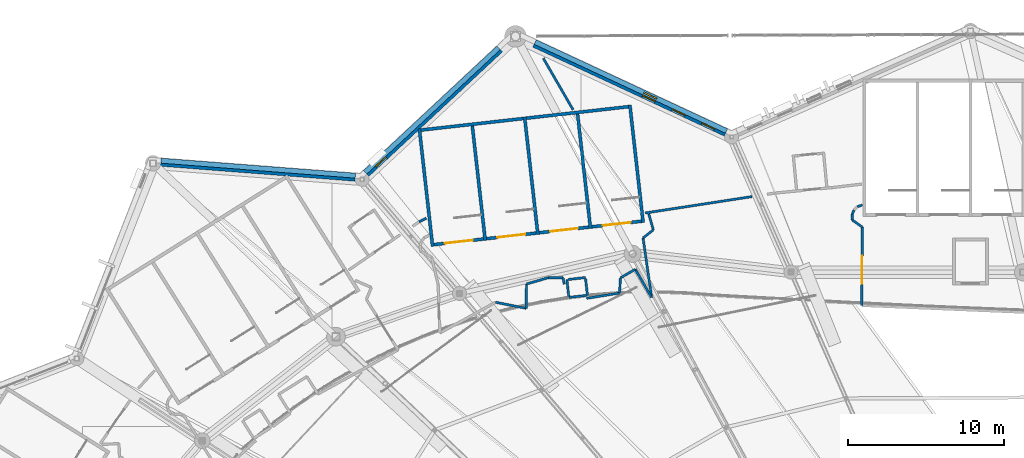
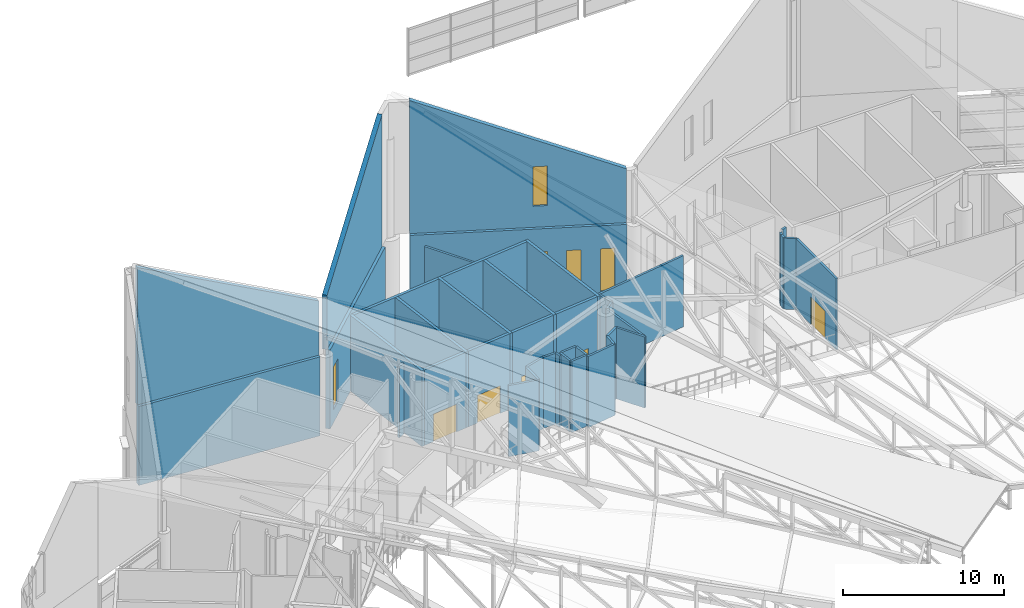
# One storey, part 265 of 344: 41 walls, 5 doors, 5 windows, 10 openings.
"""IFC4 building model written with IfcOpenShell, lengths in metres."""

from ifc_helpers import new_model, si_unit, direction, frame, frame_2d, origin, place, context, subcontext, project, spatial, polyline, rectangle, outline, extrude, material, layer, layer_set, type_object, element, fill, save


model = new_model("IFC4")

# Units and contexts
model_context = context("Model", 3, precision=1e-05, world=origin(), true_north=direction((0.0, 1.0)))
body_context = subcontext(model_context, "Body", "Model", "MODEL_VIEW")
ifc_project = project(units=[si_unit("LENGTHUNIT", "METRE"), si_unit("AREAUNIT", "SQUARE_METRE"), si_unit("VOLUMEUNIT", "CUBIC_METRE"), si_unit("PLANEANGLEUNIT", "RADIAN"), si_unit("MASSUNIT", "GRAM", prefix="KILO")], contexts=[model_context])

# Site, building, storey
site_placement = place(None, origin())
site = spatial("IfcSite", under=ifc_project, at=site_placement, CompositionType="ELEMENT")
building_placement = place(site_placement, origin())
building = spatial("IfcBuilding", under=site, at=building_placement, Name="Meseta Stadium", CompositionType="ELEMENT")
storey_placement = place(building_placement, frame((0.0, 0.0, 24.0)))
storey = spatial("IfcBuildingStorey", under=building, at=storey_placement, Name="L04", CompositionType="ELEMENT", Elevation=24.0)

# Walls
ifc_material_1 = material(Name="Concrete C40/50", Category="concrete")
ifc_layer_1 = layer(ifc_material_1, 0.199951171875)
ifc_layer_set_1 = layer_set([ifc_layer_1], Name="Core divider wall 200")
wall_type_1 = type_object("IfcWallType", Name="Core divider wall 200", PredefinedType="SHEAR", material=ifc_layer_set_1)
wall_1_placement = place(storey_placement, frame((-48.241943359375, 100.264892578125, 0.0), z_axis=(0.0, 0.0, 1.0), x_axis=(0.111954577255, -0.993713325176, 0.0)))
element("IfcWall", 1, at=wall_1_placement, inside=storey, type_object=wall_type_1, Name="Core 12 L04 stair A divider wall", PredefinedType="SHEAR", context=body_context, shape_type="SweptSolid", body=[
    extrude(rectangle(XDim=7.599853515625, YDim=0.199951171875, at=frame_2d((3.7998046875, 0.0))), origin(), (0.0, 0.0, 1.0), 5.75),
])
wall_2_placement = place(storey_placement, frame((-54.999267578125, 99.503662109375, 0.0), z_axis=(0.0, 0.0, 1.0), x_axis=(0.111982724367, -0.993710153638, 0.0)))
element("IfcWall", 2, at=wall_2_placement, inside=storey, type_object=wall_type_1, Name="Core 12 L04 stair B divider wall", PredefinedType="SHEAR", context=body_context, shape_type="SweptSolid", body=[
    extrude(rectangle(XDim=7.60009765625, YDim=0.199951171875, at=frame_2d((3.800048828125, 0.0))), origin(), (0.0, 0.0, 1.0), 5.75),
])
ifc_material_2 = material(Name="Concrete C40/50", Category="concrete")
ifc_layer_2 = layer(ifc_material_2, 0.199951171875)
ifc_layer_set_2 = layer_set([ifc_layer_2], Name="Core shaft wall 200")
wall_type_2 = type_object("IfcWallType", Name="Core shaft wall 200", PredefinedType="SHEAR", material=ifc_layer_set_2)
wall_3_placement = place(storey_placement, frame((-44.86328125, 100.645751953125, 0.0), z_axis=(0.0, 0.0, 1.0), x_axis=(0.111951003472, -0.993713727802, 0.0)))
element("IfcWall", 3, at=wall_3_placement, inside=storey, type_object=wall_type_2, Name="Core 12 L04 stair wall A-side", PredefinedType="SHEAR", context=body_context, shape_type="SweptSolid", body=[
    extrude(rectangle(XDim=7.60009765625, YDim=0.199951171875, at=frame_2d((3.800048828125, 0.0))), origin(), (0.0, 0.0, 1.0), 5.75),
])
wall_4_placement = place(storey_placement, frame((-51.62060546875, 99.884521484375, 0.0), z_axis=(0.0, 0.0, 1.0), x_axis=(0.111947429915, -0.993714130389, 0.0)))
element("IfcWall", 4, at=wall_4_placement, inside=storey, type_object=wall_type_2, Name="Core 12 L04 stair wall shared", PredefinedType="SHEAR", context=body_context, shape_type="SweptSolid", body=[
    extrude(rectangle(XDim=7.600341796875, YDim=0.199951171875, at=frame_2d((3.80029296875, 0.0))), origin(), (0.0, 0.0, 1.0), 5.75),
])
wall_5_placement = place(storey_placement, frame((-58.3779296875, 99.123046875, 0.0), z_axis=(0.0, 0.0, 1.0), x_axis=(0.111982724367, -0.993710153638, 0.0)))
element("IfcWall", 5, at=wall_5_placement, inside=storey, type_object=wall_type_2, Name="Core 12 L04 stair wall B-side", PredefinedType="SHEAR", context=body_context, shape_type="SweptSolid", body=[
    extrude(rectangle(XDim=7.60009765625, YDim=0.199951171875, at=frame_2d((3.800048828125, 0.0))), origin(), (0.0, 0.0, 1.0), 5.75),
])
for number, where, z_axis, x_axis, name in (
    (6, (-44.951416015625, 100.53515625, 0.0), (0.0, 0.0, 1.0), (-0.993711575492, -0.111970106426, 0.0), "Core 12 L04 stair A outer end wall"),
    (7, (-51.708740234375, 99.773681640625, 0.0), (0.0, 0.0, 1.0), (-0.993715690617, -0.111933579504, 0.0), "Core 12 L04 stair B outer end wall"),
):
    element("IfcWall", number, at=place(storey_placement, frame(where, z_axis=z_axis, x_axis=x_axis)), inside=storey, type_object=wall_type_2, Name=name, PredefinedType="SHEAR", context=body_context, shape_type="SweptSolid", body=[
        extrude(rectangle(XDim=6.60009765625, YDim=0.199951171875, at=frame_2d((3.300048828125, 0.0))), origin(), (0.0, 0.0, 1.0), 5.75),
    ])

# Wall, opening, door
wall_6_placement = place(storey_placement, frame((-44.123046875, 93.181640625, 0.0), z_axis=(0.0, 0.0, 1.0), x_axis=(-0.993717005286, -0.11192190762, 0.0)))
wall_6 = element("IfcWall", 8, at=wall_6_placement, inside=storey, type_object=wall_type_2, Name="Core 12 L04 stair A1 inner end wall", PredefinedType="SHEAR", context=body_context, shape_type="SweptSolid", body=[
    extrude(rectangle(XDim=3.199951171875, YDim=0.199951171875, at=frame_2d((1.60009765625, 0.0))), origin(), (0.0, 0.0, 1.0), 5.75),
])
opening_1_placement = place(wall_6_placement, frame((0.699951171875, 0.0, 0.0)))
opening_1 = element("IfcOpeningElement", 9, at=opening_1_placement, cuts=wall_6, Name="Opening D1570", PredefinedType="OPENING", context=body_context, shape_type="SweptSolid", body=[
    extrude(rectangle(XDim=1.800048828125, YDim=2.10009765625, at=frame_2d((0.89990234375, 1.050048828125))), frame((0.0, 0.10986328125, 0.0), z_axis=(0.0, -1.0, 0.0), x_axis=(1.0, 0.0, 0.0)), (0.0, 0.0, 1.0), 0.219970703125),
])
ifc_material_3 = material(Name="Steel", Category="steel")
door_type_1 = type_object("IfcDoorType", Name="Stair door 1800x2100", OperationType="DOUBLE_DOOR_SINGLE_SWING", PredefinedType="DOOR", material=ifc_material_3)
door_1_placement = place(opening_1_placement, origin())
door_1 = element("IfcDoor", 10, at=door_1_placement, inside=storey, type_object=door_type_1, Name="Stair A1 door 12 L04", OperationType="DOUBLE_DOOR_SINGLE_SWING", OverallHeight=2.10009765625, OverallWidth=1.800048828125, PredefinedType="DOOR", context=body_context, shape_type="SweptSolid", body=[
    extrude(rectangle(XDim=1.800048828125, YDim=2.10009765625, at=frame_2d((0.89990234375, 1.050048828125))), frame((0.0, 0.02490234375, 0.0), z_axis=(0.0, -1.0, 0.0), x_axis=(1.0, 0.0, 0.0)), (0.0, 0.0, 1.0), 0.050048828125),
])
fill(opening_1, door_1)

wall_7_placement = place(storey_placement, frame((-47.501708984375, 92.801025390625, 0.0), z_axis=(0.0, 0.0, 1.0), x_axis=(-0.993707560215, -0.112005735442, 0.0)))
wall_7 = element("IfcWall", 11, at=wall_7_placement, inside=storey, type_object=wall_type_2, Name="Core 12 L04 stair A2 inner end wall", PredefinedType="SHEAR", context=body_context, shape_type="SweptSolid", body=[
    extrude(rectangle(XDim=3.19970703125, YDim=0.199951171875, at=frame_2d((1.599853515625, 0.0))), origin(), (0.0, 0.0, 1.0), 5.75),
])
opening_2_placement = place(wall_7_placement, frame((0.699951171875, 0.0, 0.0)))
opening_2 = element("IfcOpeningElement", 12, at=opening_2_placement, cuts=wall_7, Name="Opening D1567", PredefinedType="OPENING", context=body_context, shape_type="SweptSolid", body=[
    extrude(rectangle(XDim=1.800048828125, YDim=2.10009765625, at=frame_2d((0.89990234375, 1.050048828125))), frame((0.0, 0.10986328125, 0.0), z_axis=(0.0, -1.0, 0.0), x_axis=(1.0, 0.0, 0.0)), (0.0, 0.0, 1.0), 0.219970703125),
])
door_2_placement = place(opening_2_placement, origin())
door_2 = element("IfcDoor", 13, at=door_2_placement, inside=storey, type_object=door_type_1, Name="Stair A2 door 12 L04", OperationType="DOUBLE_DOOR_SINGLE_SWING", OverallHeight=2.10009765625, OverallWidth=1.800048828125, PredefinedType="DOOR", context=body_context, shape_type="SweptSolid", body=[
    extrude(rectangle(XDim=1.800048828125, YDim=2.10009765625, at=frame_2d((0.89990234375, 1.050048828125))), frame((0.0, 0.02490234375, 0.0), z_axis=(0.0, -1.0, 0.0), x_axis=(1.0, 0.0, 0.0)), (0.0, 0.0, 1.0), 0.050048828125),
])
fill(opening_2, door_2)

wall_8_placement = place(storey_placement, frame((-50.88037109375, 92.42041015625, 0.0), z_axis=(0.0, 0.0, 1.0), x_axis=(-0.993707560215, -0.112005735442, 0.0)))
wall_8 = element("IfcWall", 14, at=wall_8_placement, inside=storey, type_object=wall_type_2, Name="Core 12 L04 stair B1 inner end wall", PredefinedType="SHEAR", context=body_context, shape_type="SweptSolid", body=[
    extrude(rectangle(XDim=3.19970703125, YDim=0.199951171875, at=frame_2d((1.599853515625, 0.0))), origin(), (0.0, 0.0, 1.0), 5.75),
])
opening_3_placement = place(wall_8_placement, frame((0.699951171875, 0.0, 0.0)))
opening_3 = element("IfcOpeningElement", 15, at=opening_3_placement, cuts=wall_8, Name="Opening D1565", PredefinedType="OPENING", context=body_context, shape_type="SweptSolid", body=[
    extrude(rectangle(XDim=1.800048828125, YDim=2.10009765625, at=frame_2d((0.89990234375, 1.050048828125))), frame((0.0, 0.10986328125, 0.0), z_axis=(0.0, -1.0, 0.0), x_axis=(1.0, 0.0, 0.0)), (0.0, 0.0, 1.0), 0.219970703125),
])
door_3_placement = place(opening_3_placement, origin())
door_3 = element("IfcDoor", 16, at=door_3_placement, inside=storey, type_object=door_type_1, Name="Stair B1 door 12 L04", OperationType="DOUBLE_DOOR_SINGLE_SWING", OverallHeight=2.10009765625, OverallWidth=1.800048828125, PredefinedType="DOOR", context=body_context, shape_type="SweptSolid", body=[
    extrude(rectangle(XDim=1.800048828125, YDim=2.10009765625, at=frame_2d((0.89990234375, 1.050048828125))), frame((0.0, 0.02490234375, 0.0), z_axis=(0.0, -1.0, 0.0), x_axis=(1.0, 0.0, 0.0)), (0.0, 0.0, 1.0), 0.050048828125),
])
fill(opening_3, door_3)

wall_9_placement = place(storey_placement, frame((-54.2587890625, 92.03955078125, 0.0), z_axis=(0.0, 0.0, 1.0), x_axis=(-0.993717005286, -0.11192190762, 0.0)))
wall_9 = element("IfcWall", 17, at=wall_9_placement, inside=storey, type_object=wall_type_2, Name="Core 12 L04 stair B2 inner end wall", PredefinedType="SHEAR", context=body_context, shape_type="SweptSolid", body=[
    extrude(rectangle(XDim=3.199951171875, YDim=0.199951171875, at=frame_2d((1.60009765625, 0.0))), origin(), (0.0, 0.0, 1.0), 5.75),
])
opening_4_placement = place(wall_9_placement, frame((0.699951171875, 0.0, 0.0)))
opening_4 = element("IfcOpeningElement", 18, at=opening_4_placement, cuts=wall_9, Name="Opening D1563", PredefinedType="OPENING", context=body_context, shape_type="SweptSolid", body=[
    extrude(rectangle(XDim=1.800048828125, YDim=2.10009765625, at=frame_2d((0.89990234375, 1.050048828125))), frame((0.0, 0.10986328125, 0.0), z_axis=(0.0, -1.0, 0.0), x_axis=(1.0, 0.0, 0.0)), (0.0, 0.0, 1.0), 0.219970703125),
])
door_4_placement = place(opening_4_placement, origin())
door_4 = element("IfcDoor", 19, at=door_4_placement, inside=storey, type_object=door_type_1, Name="Stair B2 door 12 L04", OperationType="DOUBLE_DOOR_SINGLE_SWING", OverallHeight=2.10009765625, OverallWidth=1.800048828125, PredefinedType="DOOR", context=body_context, shape_type="SweptSolid", body=[
    extrude(rectangle(XDim=1.800048828125, YDim=2.10009765625, at=frame_2d((0.89990234375, 1.050048828125))), frame((0.0, 0.02490234375, 0.0), z_axis=(0.0, -1.0, 0.0), x_axis=(1.0, 0.0, 0.0)), (0.0, 0.0, 1.0), 0.050048828125),
])
fill(opening_4, door_4)

# Walls
ifc_material_4 = material(Name="Masonry blockwork", Category="masonry")
ifc_layer_3 = layer(ifc_material_4, 0.14990234375)
ifc_layer_set_3 = layer_set([ifc_layer_3], Name="Partition 150")
wall_type_3 = type_object("IfcWallType", Name="Partition 150", PredefinedType="PARTITIONING", material=ifc_layer_set_3)
wall_10_placement = place(storey_placement, frame((-48.508056640625, 100.335693359375, 0.0), z_axis=(0.0, 0.0, 1.0), x_axis=(-0.500439359674, 0.865771590715, 0.0)))
element("IfcWall", 20, at=wall_10_placement, inside=storey, type_object=wall_type_3, Name="Partition L04 L04-cell10-1-0", PredefinedType="PARTITIONING", context=body_context, shape_type="SweptSolid", body=[
    extrude(rectangle(XDim=3.82177734375, YDim=0.14990234375, at=frame_2d((1.910888671875, 0.0))), origin(), (0.0, 0.0, 1.0), 5.39990234375),
])
wall_11_placement = place(storey_placement, frame((-37.021240234375, 94.763427734375, 0.0), z_axis=(0.0, 0.0, 1.0), x_axis=(-0.988411114545, -0.151800753106, 0.0)))
element("IfcWall", 21, at=wall_11_placement, inside=storey, type_object=wall_type_3, Name="Partition L04 L04-cell10-1-0", PredefinedType="PARTITIONING", context=body_context, shape_type="SweptSolid", body=[
    extrude(rectangle(XDim=6.939697265625, YDim=0.14990234375, at=frame_2d((3.4697265625, 0.0))), origin(), (0.0, 0.0, 1.0), 5.39990234375),
])
wall_12_placement = place(storey_placement, frame((-57.931640625, 93.37646484375, 0.0), z_axis=(0.0, 0.0, 1.0), x_axis=(-0.894331160602, -0.447405604767, 0.0)))
element("IfcWall", 22, at=wall_12_placement, inside=storey, type_object=wall_type_3, Name="Partition L04 L04-cell11-1-0", PredefinedType="PARTITIONING", context=body_context, shape_type="SweptSolid", body=[
    extrude(rectangle(XDim=0.508544921875, YDim=0.14990234375, at=frame_2d((0.25439453125, 0.0))), origin(), (0.0, 0.0, 1.0), 5.39990234375),
])
wall_13_placement = place(storey_placement, frame((-29.9384765625, 94.228759765625, 0.0), z_axis=(0.0, 0.0, 1.0), x_axis=(-0.937674325327, -0.347515265308, 0.0)))
element("IfcWall", 23, at=wall_13_placement, inside=storey, type_object=wall_type_3, Name="Stair vestibule wall L04 core 11", PredefinedType="PARTITIONING", context=body_context, shape_type="SweptSolid", body=[
    extrude(rectangle(XDim=0.356201171875, YDim=0.14990234375, at=frame_2d((0.17822265625, 0.0))), origin(), (0.0, 0.0, 1.0), 5.39990234375),
])
wall_14_placement = place(storey_placement, frame((-30.47412109375, 93.903564453125, 0.0), z_axis=(0.0, 0.0, 1.0), x_axis=(-0.382275228123, -0.924048510611, 0.0)))
element("IfcWall", 24, at=wall_14_placement, inside=storey, type_object=wall_type_3, Name="Stair vestibule wall L04 core 11", PredefinedType="PARTITIONING", context=body_context, shape_type="SweptSolid", body=[
    extrude(rectangle(XDim=0.28173828125, YDim=0.14990234375, at=frame_2d((0.140869140625, 0.0))), origin(), (0.0, 0.0, 1.0), 5.39990234375),
])
wall_15_placement = place(storey_placement, frame((-30.581787109375, 93.643310546875, 0.0), z_axis=(0.0, 0.0, 1.0), x_axis=(-0.038982051143, -0.999239910977, 0.0)))
element("IfcWall", 25, at=wall_15_placement, inside=storey, type_object=wall_type_3, Name="Stair vestibule wall L04 core 11", PredefinedType="PARTITIONING", context=body_context, shape_type="SweptSolid", body=[
    extrude(rectangle(XDim=0.375732421875, YDim=0.14990234375, at=frame_2d((0.18798828125, 0.0))), origin(), (0.0, 0.0, 1.0), 5.39990234375),
])
wall_16_placement = place(storey_placement, frame((-30.596435546875, 93.267822265625, 0.0), z_axis=(0.0, 0.0, 1.0), x_axis=(0.817630031149, -0.575743981439, 0.0)))
element("IfcWall", 26, at=wall_16_placement, inside=storey, type_object=wall_type_3, Name="Stair vestibule wall L04 core 11", PredefinedType="PARTITIONING", context=body_context, shape_type="SweptSolid", body=[
    extrude(rectangle(XDim=0.79638671875, YDim=0.14990234375, at=frame_2d((0.398193359375, 0.0))), origin(), (0.0, 0.0, 1.0), 5.39990234375),
])

# Wall, opening, door
wall_17_placement = place(storey_placement, frame((-29.9453125, 92.809326171875, 0.0), z_axis=(0.0, 0.0, 1.0), x_axis=(-0.005947670427, -0.999982312452, 0.0)))
wall_17 = element("IfcWall", 27, at=wall_17_placement, inside=storey, type_object=wall_type_3, Name="Stair vestibule wall L04 core 11", PredefinedType="PARTITIONING", context=body_context, shape_type="SweptSolid", body=[
    extrude(rectangle(XDim=5.048828125, YDim=0.14990234375, at=frame_2d((2.5244140625, 0.0))), origin(), (0.0, 0.0, 1.0), 5.39990234375),
])
opening_5_placement = place(wall_17_placement, frame((1.85009765625, 0.0, 0.0)))
opening_5 = element("IfcOpeningElement", 28, at=opening_5_placement, cuts=wall_17, Name="Opening D1578", PredefinedType="OPENING", context=body_context, shape_type="SweptSolid", body=[
    extrude(rectangle(XDim=1.800048828125, YDim=2.10009765625, at=frame_2d((0.89990234375, 1.050048828125))), frame((0.0, 0.0849609375, 0.0), z_axis=(0.0, -1.0, 0.0), x_axis=(1.0, 0.0, 0.0)), (0.0, 0.0, 1.0), 0.169921875),
])
ifc_material_5 = material(Name="Steel", Category="steel")
door_type_2 = type_object("IfcDoorType", Name="Fire double door 1800x2100 EI2 60", OperationType="DOUBLE_DOOR_SINGLE_SWING", PredefinedType="DOOR", material=ifc_material_5)
door_5_placement = place(opening_5_placement, origin())
door_5 = element("IfcDoor", 29, at=door_5_placement, inside=storey, type_object=door_type_2, Name="Stair vestibule door L04 core 11", OperationType="DOUBLE_DOOR_SINGLE_SWING", OverallHeight=2.10009765625, OverallWidth=1.800048828125, PredefinedType="DOOR", context=body_context, shape_type="SweptSolid", body=[
    extrude(rectangle(XDim=1.800048828125, YDim=2.10009765625, at=frame_2d((0.89990234375, 1.050048828125))), frame((0.0, 0.02490234375, 0.0), z_axis=(0.0, -1.0, 0.0), x_axis=(1.0, 0.0, 0.0)), (0.0, 0.0, 1.0), 0.050048828125),
])
fill(opening_5, door_5)

# Walls
wall_18_placement = place(storey_placement, frame((-47.7158203125, 89.566650390625, 0.0), z_axis=(0.0, 0.0, 1.0), x_axis=(-0.993710504932, -0.11197960702, 0.0)))
element("IfcWall", 30, at=wall_18_placement, inside=storey, type_object=wall_type_3, Name="Pressurisation shaft wall L04 core 12", PredefinedType="PARTITIONING", context=body_context, shape_type="SweptSolid", body=[
    extrude(rectangle(XDim=1.125, YDim=0.14990234375, at=frame_2d((0.5625, 0.0))), origin(), (0.0, 0.0, 1.0), 5.39990234375),
])
wall_19_placement = place(storey_placement, frame((-48.908203125, 89.432373046875, 0.0), z_axis=(0.0, 0.0, 1.0), x_axis=(0.111951742856, -0.993713644503, 0.0)))
element("IfcWall", 31, at=wall_19_placement, inside=storey, type_object=wall_type_3, Name="Pressurisation shaft wall L04 core 12", PredefinedType="PARTITIONING", context=body_context, shape_type="SweptSolid", body=[
    extrude(rectangle(XDim=1.0751953125, YDim=0.14990234375, at=frame_2d((0.53759765625, 0.0))), origin(), (0.0, 0.0, 1.0), 5.39990234375),
])
wall_20_placement = place(storey_placement, frame((-48.779541015625, 88.28955078125, 0.0), z_axis=(0.0, 0.0, 1.0), x_axis=(0.993710504932, 0.11197960702, 0.0)))
element("IfcWall", 32, at=wall_20_placement, inside=storey, type_object=wall_type_3, Name="Pressurisation shaft wall L04 core 12", PredefinedType="PARTITIONING", context=body_context, shape_type="SweptSolid", body=[
    extrude(rectangle(XDim=1.125, YDim=0.14990234375, at=frame_2d((0.5625, 0.0))), origin(), (0.0, 0.0, 1.0), 5.39990234375),
])
wall_21_placement = place(storey_placement, frame((-47.587158203125, 88.423828125, 0.0), z_axis=(0.0, 0.0, 1.0), x_axis=(-0.111951742856, 0.993713644503, 0.0)))
element("IfcWall", 33, at=wall_21_placement, inside=storey, type_object=wall_type_3, Name="Pressurisation shaft wall L04 core 12", PredefinedType="PARTITIONING", context=body_context, shape_type="SweptSolid", body=[
    extrude(rectangle(XDim=1.0751953125, YDim=0.14990234375, at=frame_2d((0.53759765625, 0.0))), origin(), (0.0, 0.0, 1.0), 5.39990234375),
])
wall_22_placement = place(storey_placement, frame((-53.484130859375, 87.978759765625, 0.0), z_axis=(0.0, 0.0, 1.0), x_axis=(0.981181941373, -0.193085467925, 0.0)))
element("IfcWall", 34, at=wall_22_placement, inside=storey, type_object=wall_type_3, Name="Stair vestibule wall L04 core 12", PredefinedType="PARTITIONING", context=body_context, shape_type="SweptSolid", body=[
    extrude(rectangle(XDim=1.9990234375, YDim=0.14990234375, at=frame_2d((0.99951171875, 0.0))), origin(), (0.0, 0.0, 1.0), 5.39990234375),
])
wall_23_placement = place(storey_placement, frame((-51.522705078125, 87.5927734375, 0.0), z_axis=(0.0, 0.0, 1.0), x_axis=(0.014577538487, 0.99989374204, 0.0)))
element("IfcWall", 35, at=wall_23_placement, inside=storey, type_object=wall_type_3, Name="Stair vestibule wall L04 core 12", PredefinedType="PARTITIONING", context=body_context, shape_type="SweptSolid", body=[
    extrude(rectangle(XDim=1.5576171875, YDim=0.14990234375, at=frame_2d((0.77880859375, 0.0))), origin(), (0.0, 0.0, 1.0), 5.39990234375),
])
wall_24_placement = place(storey_placement, frame((-51.5, 89.150146484375, 0.0), z_axis=(0.0, 0.0, 1.0), x_axis=(0.96032763012, 0.278874241959, 0.0)))
element("IfcWall", 36, at=wall_24_placement, inside=storey, type_object=wall_type_3, Name="Stair vestibule wall L04 core 12", PredefinedType="PARTITIONING", context=body_context, shape_type="SweptSolid", body=[
    extrude(rectangle(XDim=1.474365234375, YDim=0.14990234375, at=frame_2d((0.7373046875, 0.0))), origin(), (0.0, 0.0, 1.0), 5.39990234375),
])
wall_25_placement = place(storey_placement, frame((-50.084228515625, 89.561279296875, 0.0), z_axis=(0.0, 0.0, 1.0), x_axis=(0.999999860984, -0.000527287035, 0.0)))
element("IfcWall", 37, at=wall_25_placement, inside=storey, type_object=wall_type_3, Name="Stair vestibule wall L04 core 12", PredefinedType="PARTITIONING", context=body_context, shape_type="SweptSolid", body=[
    extrude(rectangle(XDim=0.926025390625, YDim=0.14990234375, at=frame_2d((0.462890625, 0.0))), origin(), (0.0, 0.0, 1.0), 5.39990234375),
])
wall_26_placement = place(storey_placement, frame((-49.158203125, 89.560791015625, 0.0), z_axis=(0.0, 0.0, 1.0), x_axis=(0.199411447197, -0.97991585084, 0.0)))
element("IfcWall", 38, at=wall_26_placement, inside=storey, type_object=wall_type_3, Name="Stair vestibule wall L04 core 12", PredefinedType="PARTITIONING", context=body_context, shape_type="SweptSolid", body=[
    extrude(rectangle(XDim=0.42724609375, YDim=0.14990234375, at=frame_2d((0.213623046875, 0.0))), origin(), (0.0, 0.0, 1.0), 5.39990234375),
])
wall_27_placement = place(storey_placement, frame((-47.63818359375, 88.234619140625, 0.0), z_axis=(0.0, 0.0, 1.0), x_axis=(0.987508180738, 0.157567740913, 0.0)))
element("IfcWall", 39, at=wall_27_placement, inside=storey, type_object=wall_type_3, Name="Stair vestibule wall L04 core 12", PredefinedType="PARTITIONING", context=body_context, shape_type="SweptSolid", body=[
    extrude(rectangle(XDim=2.1396484375, YDim=0.14990234375, at=frame_2d((1.06982421875, 0.0))), origin(), (0.0, 0.0, 1.0), 5.39990234375),
])
wall_28_placement = place(storey_placement, frame((-45.525146484375, 88.57177734375, 0.0), z_axis=(0.0, 0.0, 1.0), x_axis=(0.058502184732, 0.998287280487, 0.0)))
element("IfcWall", 40, at=wall_28_placement, inside=storey, type_object=wall_type_3, Name="Stair vestibule wall L04 core 12", PredefinedType="PARTITIONING", context=body_context, shape_type="SweptSolid", body=[
    extrude(rectangle(XDim=0.9765625, YDim=0.14990234375, at=frame_2d((0.48828125, 0.0))), origin(), (0.0, 0.0, 1.0), 5.39990234375),
])
wall_29_placement = place(storey_placement, frame((-45.468017578125, 89.546630859375, 0.0), z_axis=(0.0, 0.0, 1.0), x_axis=(0.865760373594, 0.500458765049, 0.0)))
element("IfcWall", 41, at=wall_29_placement, inside=storey, type_object=wall_type_3, Name="Stair vestibule wall L04 core 12", PredefinedType="PARTITIONING", context=body_context, shape_type="SweptSolid", body=[
    extrude(rectangle(XDim=1.10009765625, YDim=0.14990234375, at=frame_2d((0.550048828125, 0.0))), origin(), (0.0, 0.0, 1.0), 5.39990234375),
])
wall_30_placement = place(storey_placement, frame((-44.515625, 90.09716796875, 0.0), z_axis=(0.0, 0.0, 1.0), x_axis=(0.501068461494, -0.865407647815, 0.0)))
element("IfcWall", 42, at=wall_30_placement, inside=storey, type_object=wall_type_3, Name="Stair vestibule wall L04 core 12", PredefinedType="PARTITIONING", context=body_context, shape_type="SweptSolid", body=[
    extrude(rectangle(XDim=2.0927734375, YDim=0.14990234375, at=frame_2d((1.04638671875, 0.0))), origin(), (0.0, 0.0, 1.0), 5.39990234375),
])
wall_31_placement = place(storey_placement, frame((-43.467041015625, 88.2861328125, 0.0), z_axis=(0.0, 0.0, 1.0), x_axis=(-0.14226260917, 0.989828949886, 0.0)))
element("IfcWall", 43, at=wall_31_placement, inside=storey, type_object=wall_type_3, Name="Stair vestibule wall L04 core 12", PredefinedType="PARTITIONING", context=body_context, shape_type="SweptSolid", body=[
    extrude(rectangle(XDim=3.859619140625, YDim=0.14990234375, at=frame_2d((1.9296875, 0.0))), origin(), (0.0, 0.0, 1.0), 5.39990234375),
])
wall_32_placement = place(storey_placement, frame((-44.01611328125, 92.1064453125, 0.0), z_axis=(0.0, 0.0, 1.0), x_axis=(0.783745876513, 0.621081637991, 0.0)))
element("IfcWall", 44, at=wall_32_placement, inside=storey, type_object=wall_type_3, Name="Stair vestibule wall L04 core 12", PredefinedType="PARTITIONING", context=body_context, shape_type="SweptSolid", body=[
    extrude(rectangle(XDim=0.842041015625, YDim=0.14990234375, at=frame_2d((0.4208984375, 0.0))), origin(), (0.0, 0.0, 1.0), 5.39990234375),
])
wall_33_placement = place(storey_placement, frame((-43.356201171875, 92.62939453125, 0.0), z_axis=(0.0, 0.0, 1.0), x_axis=(-0.27523308246, 0.961377527467, 0.0)))
element("IfcWall", 45, at=wall_33_placement, inside=storey, type_object=wall_type_3, Name="Stair vestibule wall L04 core 12", PredefinedType="PARTITIONING", context=body_context, shape_type="SweptSolid", body=[
    extrude(rectangle(XDim=1.070556640625, YDim=0.14990234375, at=frame_2d((0.53515625, 0.0))), origin(), (0.0, 0.0, 1.0), 5.39990234375),
])

# Wall, opening, window
ifc_material_6 = material(Name="White precast concrete C40/50", Category="concrete")
ifc_layer_4 = layer(ifc_material_6, 0.320068359375)
ifc_layer_set_4 = layer_set([ifc_layer_4], Name="Pleated fascia panel 320 raked")
wall_type_4 = type_object("IfcWallType", Name="Pleated fascia panel 320 raked", PredefinedType="SOLIDWALL", material=ifc_layer_set_4)
wall_34_placement = place(storey_placement, frame((-50.941162109375, 104.685302734375, 6.0), z_axis=(0.0, 0.0, 1.0), x_axis=(0.90670540729, -0.421764512958, 0.0)))
wall_34 = element("IfcWall", 46, at=wall_34_placement, inside=storey, type_object=wall_type_4, Name="Pleated fascia panel L04 F21", PredefinedType="SOLIDWALL", context=body_context, shape_type="SweptSolid", body=[
    extrude(outline(polyline([(0.0, 0.0), (13.548583984375, 0.0), (13.548583984375, 4.08984375), (0.0, 10.11279296875), (0.0, 0.0)])), frame((0.0, 0.16015625, 0.0), z_axis=(0.0, -1.0, 0.0), x_axis=(1.0, 0.0, 0.0)), (0.0, 0.0, 1.0), 0.320068359375),
])
opening_6_placement = place(wall_34_placement, frame((7.6982421875, 0.0, 1.60009765625)))
opening_6 = element("IfcOpeningElement", 47, at=opening_6_placement, cuts=wall_34, Name="Opening W231", PredefinedType="OPENING", context=body_context, shape_type="SweptSolid", body=[
    extrude(rectangle(XDim=0.89990234375, YDim=3.0, at=frame_2d((0.449951171875, 1.5))), frame((0.0, 0.169921875, 0.0), z_axis=(0.0, -1.0, 0.0), x_axis=(1.0, 0.0, 0.0)), (0.0, 0.0, 1.0), 0.340087890625),
])
ifc_material_7 = material(Name="Aluminium", Category="aluminium")
window_type_1 = type_object("IfcWindowType", Name="Slot window 900x3000", PartitioningType="SINGLE_PANEL", PredefinedType="WINDOW", material=ifc_material_7)
window_1_placement = place(opening_6_placement, origin())
window_1 = element("IfcWindow", 48, at=window_1_placement, inside=storey, type_object=window_type_1, Name="Slot window L04 F21.3", OverallHeight=3.0, OverallWidth=0.89990234375, PartitioningType="SINGLE_PANEL", PredefinedType="WINDOW", context=body_context, shape_type="SweptSolid", body=[
    extrude(rectangle(XDim=0.89990234375, YDim=3.0, at=frame_2d((0.449951171875, 1.5))), frame((0.0, 0.030029296875, 0.0), z_axis=(0.0, -1.0, 0.0), x_axis=(1.0, 0.0, 0.0)), (0.0, 0.0, 1.0), 0.06005859375),
])
fill(opening_6, window_1)

# Walls
wall_35_placement = place(storey_placement, frame((-61.859130859375, 96.325439453125, 6.0), z_axis=(0.0, 0.0, 1.0), x_axis=(0.731551971011, 0.681785680188, 0.0)))
element("IfcWall", 49, at=wall_35_placement, inside=storey, type_object=wall_type_4, Name="Pleated fascia panel L04 F22", PredefinedType="SOLIDWALL", context=body_context, shape_type="SweptSolid", body=[
    extrude(outline(polyline([(0.0, 0.0), (11.71484375, 0.0), (11.71484375, 10.0341796875), (0.0, 4.116943359375), (0.0, 0.0)])), frame((0.0, 0.16015625, 0.0), z_axis=(0.0, -1.0, 0.0), x_axis=(1.0, 0.0, 0.0)), (0.0, 0.0, 1.0), 0.320068359375),
])
wall_36_placement = place(storey_placement, frame((-74.961181640625, 97.069580078125, 6.0), z_axis=(0.0, 0.0, 1.0), x_axis=(0.997035289114, -0.076945644854, 0.0)))
element("IfcWall", 50, at=wall_36_placement, inside=storey, type_object=wall_type_4, Name="Pleated fascia panel L04 F23", PredefinedType="SOLIDWALL", context=body_context, shape_type="SweptSolid", body=[
    extrude(outline(polyline([(0.0, 0.0), (12.513916015625, 0.0), (12.513671875, 4.1171875), (0.0, 10.437744140625), (0.0, 0.0)])), frame((0.0, 0.16015625, 0.0), z_axis=(0.0, -1.0, 0.0), x_axis=(1.0, 0.0, 0.0)), (0.0, 0.0, 1.0), 0.320068359375),
])

# Wall, openings, windows
ifc_material_8 = material(Name="White precast concrete C40/50", Category="concrete")
ifc_layer_5 = layer(ifc_material_8, 0.320068359375)
ifc_layer_set_5 = layer_set([ifc_layer_5], Name="Pleated panel wall 320")
wall_type_5 = type_object("IfcWallType", Name="Pleated panel wall 320", PredefinedType="SOLIDWALL", material=ifc_layer_set_5)
wall_37_placement = place(storey_placement, frame((-51.025634765625, 104.50390625, 0.0), z_axis=(0.0, 0.0, 1.0), x_axis=(0.90670540729, -0.421764512958, 0.0)))
wall_37 = element("IfcWall", 51, at=wall_37_placement, inside=storey, type_object=wall_type_5, Name="Pleated facade panel L04 F21", PredefinedType="SOLIDWALL", context=body_context, shape_type="SweptSolid", body=[
    extrude(rectangle(XDim=13.548583984375, YDim=0.320068359375, at=frame_2d((6.7744140625, 0.0))), origin(), (0.0, 0.0, 1.0), 6.0),
])
opening_7_placement = place(wall_37_placement, frame((11.898193359375, 0.0, 1.0)))
opening_7 = element("IfcOpeningElement", 52, at=opening_7_placement, cuts=wall_37, Name="Opening W233", PredefinedType="OPENING", context=body_context, shape_type="SweptSolid", body=[
    extrude(rectangle(XDim=0.89990234375, YDim=3.25, at=frame_2d((0.449951171875, 1.625))), frame((0.0, 0.169921875, 0.0), z_axis=(0.0, -1.0, 0.0), x_axis=(1.0, 0.0, 0.0)), (0.0, 0.0, 1.0), 0.340087890625),
])
opening_8_placement = place(wall_37_placement, frame((9.798095703125, 0.0, 1.0)))
opening_8 = element("IfcOpeningElement", 53, at=opening_8_placement, cuts=wall_37, Name="Opening W232", PredefinedType="OPENING", context=body_context, shape_type="SweptSolid", body=[
    extrude(rectangle(XDim=0.89990234375, YDim=3.25, at=frame_2d((0.449951171875, 1.625))), frame((0.0, 0.169921875, 0.0), z_axis=(0.0, -1.0, 0.0), x_axis=(1.0, 0.0, 0.0)), (0.0, 0.0, 1.0), 0.340087890625),
])
opening_9_placement = place(wall_37_placement, frame((7.6982421875, 0.0, 1.0)))
opening_9 = element("IfcOpeningElement", 54, at=opening_9_placement, cuts=wall_37, Name="Opening W230", PredefinedType="OPENING", context=body_context, shape_type="SweptSolid", body=[
    extrude(rectangle(XDim=0.89990234375, YDim=3.25, at=frame_2d((0.449951171875, 1.625))), frame((0.0, 0.169921875, 0.0), z_axis=(0.0, -1.0, 0.0), x_axis=(1.0, 0.0, 0.0)), (0.0, 0.0, 1.0), 0.340087890625),
])
ifc_material_9 = material(Name="Aluminium", Category="aluminium")
window_type_2 = type_object("IfcWindowType", Name="Slot window 900x3250", PartitioningType="SINGLE_PANEL", PredefinedType="WINDOW", material=ifc_material_9)
window_2_placement = place(opening_7_placement, origin())
window_2 = element("IfcWindow", 55, at=window_2_placement, inside=storey, type_object=window_type_2, Name="Slot window L04 F21.1", OverallHeight=3.25, OverallWidth=0.89990234375, PartitioningType="SINGLE_PANEL", PredefinedType="WINDOW", context=body_context, shape_type="SweptSolid", body=[
    extrude(rectangle(XDim=0.89990234375, YDim=3.25, at=frame_2d((0.449951171875, 1.625))), frame((0.0, 0.030029296875, 0.0), z_axis=(0.0, -1.0, 0.0), x_axis=(1.0, 0.0, 0.0)), (0.0, 0.0, 1.0), 0.06005859375),
])
fill(opening_7, window_2)
window_3_placement = place(opening_8_placement, origin())
window_3 = element("IfcWindow", 56, at=window_3_placement, inside=storey, type_object=window_type_2, Name="Slot window L04 F21.2", OverallHeight=3.25, OverallWidth=0.89990234375, PartitioningType="SINGLE_PANEL", PredefinedType="WINDOW", context=body_context, shape_type="SweptSolid", body=[
    extrude(rectangle(XDim=0.89990234375, YDim=3.25, at=frame_2d((0.449951171875, 1.625))), frame((0.0, 0.030029296875, 0.0), z_axis=(0.0, -1.0, 0.0), x_axis=(1.0, 0.0, 0.0)), (0.0, 0.0, 1.0), 0.06005859375),
])
fill(opening_8, window_3)
window_4_placement = place(opening_9_placement, origin())
window_4 = element("IfcWindow", 57, at=window_4_placement, inside=storey, type_object=window_type_2, Name="Slot window L04 F21.3", OverallHeight=3.25, OverallWidth=0.89990234375, PartitioningType="SINGLE_PANEL", PredefinedType="WINDOW", context=body_context, shape_type="SweptSolid", body=[
    extrude(rectangle(XDim=0.89990234375, YDim=3.25, at=frame_2d((0.449951171875, 1.625))), frame((0.0, 0.030029296875, 0.0), z_axis=(0.0, -1.0, 0.0), x_axis=(1.0, 0.0, 0.0)), (0.0, 0.0, 1.0), 0.06005859375),
])
fill(opening_9, window_4)

# Wall, opening, window
wall_38_placement = place(storey_placement, frame((-61.72265625, 96.17919921875, 0.0), z_axis=(0.0, 0.0, 1.0), x_axis=(0.731542283625, 0.681796074548, 0.0)))
wall_38 = element("IfcWall", 58, at=wall_38_placement, inside=storey, type_object=wall_type_5, Name="Pleated facade panel L04 F22", PredefinedType="SOLIDWALL", context=body_context, shape_type="SweptSolid", body=[
    extrude(rectangle(XDim=11.71484375, YDim=0.320068359375, at=frame_2d((5.857421875, 0.0))), origin(), (0.0, 0.0, 1.0), 6.0),
])
opening_10_placement = place(wall_38_placement, frame((0.75048828125, 0.0, 1.0)))
opening_10 = element("IfcOpeningElement", 59, at=opening_10_placement, cuts=wall_38, Name="Opening W224", PredefinedType="OPENING", context=body_context, shape_type="SweptSolid", body=[
    extrude(rectangle(XDim=0.89990234375, YDim=3.25, at=frame_2d((0.449951171875, 1.625))), frame((0.0, 0.169921875, 0.0), z_axis=(0.0, -1.0, 0.0), x_axis=(1.0, 0.0, 0.0)), (0.0, 0.0, 1.0), 0.340087890625),
])
window_5_placement = place(opening_10_placement, origin())
window_5 = element("IfcWindow", 60, at=window_5_placement, inside=storey, type_object=window_type_2, Name="Slot window L04 F22.1", OverallHeight=3.25, OverallWidth=0.89990234375, PartitioningType="SINGLE_PANEL", PredefinedType="WINDOW", context=body_context, shape_type="SweptSolid", body=[
    extrude(rectangle(XDim=0.89990234375, YDim=3.25, at=frame_2d((0.449951171875, 1.625))), frame((0.0, 0.030029296875, 0.0), z_axis=(0.0, -1.0, 0.0), x_axis=(1.0, 0.0, 0.0)), (0.0, 0.0, 1.0), 0.06005859375),
])
fill(opening_10, window_5)

# Wall
wall_39_placement = place(storey_placement, frame((-74.9765625, 96.8701171875, 0.0), z_axis=(0.0, 0.0, 1.0), x_axis=(0.997035289114, -0.076945644854, 0.0)))
element("IfcWall", 61, at=wall_39_placement, inside=storey, type_object=wall_type_5, Name="Pleated facade panel L04 F23", PredefinedType="SOLIDWALL", context=body_context, shape_type="SweptSolid", body=[
    extrude(rectangle(XDim=12.513916015625, YDim=0.320068359375, at=frame_2d((6.2568359375, 0.0))), origin(), (0.0, 0.0, 1.0), 6.0),
])

save(model, "model.ifc")
